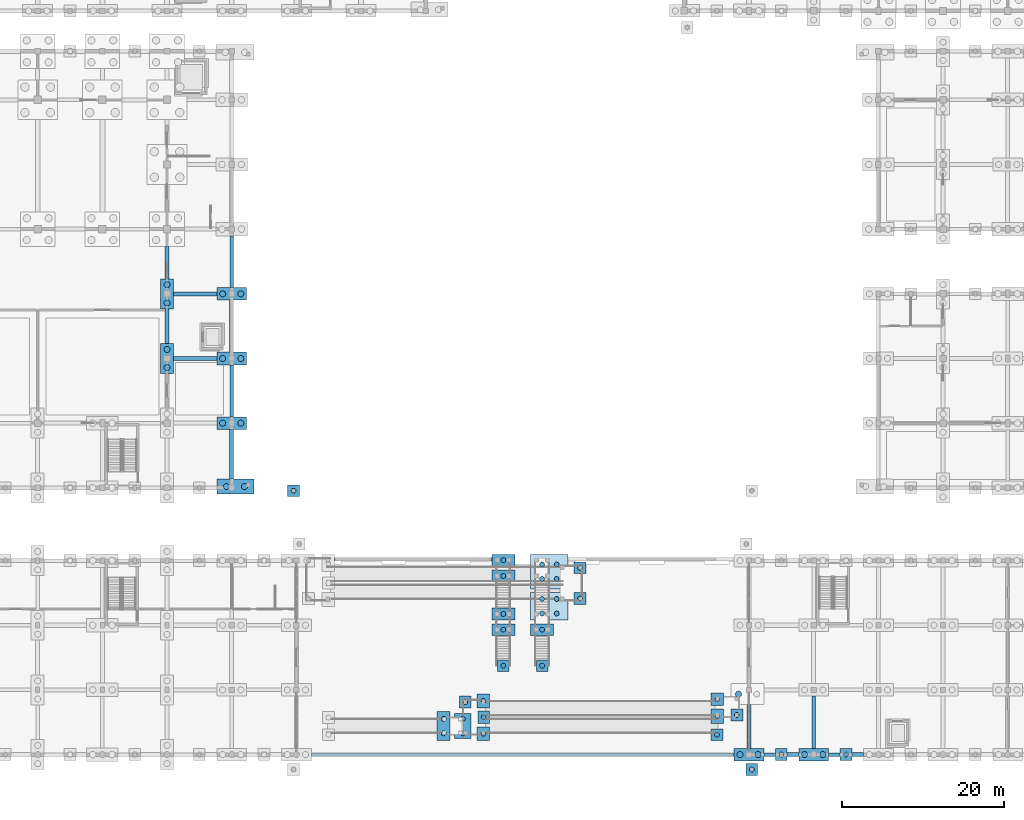
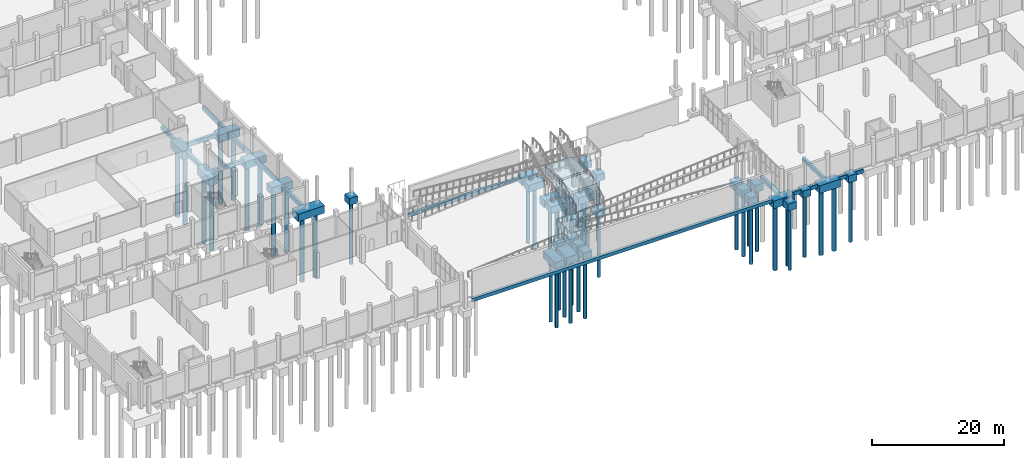
# One storey, part 4 of 52: 50 piles, 49 footings.
"""IFC4 building model written with IfcOpenShell, lengths in metres."""

from ifc_helpers import new_model, si_unit, direction, frame, origin, origin_2d, place, context, subcontext, project, spatial, polyline, rectangle, circle, outline, extrude, material, material_profile, profile_set, type_object, element, save


model = new_model("IFC4")

# Units and contexts
model_context = context("Model", 3, precision=1e-05, world=origin(), true_north=direction((0.0, 1.0)))
body_context = subcontext(model_context, "Body", "Model", "MODEL_VIEW")
ifc_project = project(units=[si_unit("LENGTHUNIT", "METRE"), si_unit("AREAUNIT", "SQUARE_METRE"), si_unit("VOLUMEUNIT", "CUBIC_METRE"), si_unit("PLANEANGLEUNIT", "RADIAN"), si_unit("MASSUNIT", "GRAM", prefix="KILO")], contexts=[model_context])

# Site, building, storey
site_placement = place(None, origin())
site = spatial("IfcSite", under=ifc_project, at=site_placement, CompositionType="ELEMENT")
building_placement = place(site_placement, origin())
building = spatial("IfcBuilding", under=site, at=building_placement, Name="Luwemba Playhouse", CompositionType="ELEMENT")
storey_placement = place(building_placement, frame((0.0, 0.0, -4.800048828125)))
storey = spatial("IfcBuildingStorey", under=building, at=storey_placement, Name="B1", CompositionType="ELEMENT", Elevation=-4.800048828125)

# Footings
ifc_material = material(Name="Concrete C32/40", Category="concrete")
ifc_material_profile_1 = material_profile(ifc_material, rectangle(XDim=0.449951171875, YDim=0.64990234375, at=origin_2d()))
ifc_profile_set_1 = profile_set([ifc_material_profile_1], Name="Concrete C32/40")
footing_type_1 = type_object("IfcFootingType", Name="FTBM-GB1", PredefinedType="FOOTING_BEAM", material=ifc_profile_set_1)
for number, where, z_axis, x_axis, name in (
    (1, (117.85009765625, 3.0, -0.704833984375), (1.0, 0.0, 0.0), (0.0, 1.0, 0.0), "Ground tie-beam 015"),
    (2, (125.85009765625, 3.0, -0.704833984375), (1.0, 0.0, 0.0), (0.0, 1.0, 0.0), "Ground tie-beam 017"),
):
    element("IfcFooting", number, at=place(storey_placement, frame(where, z_axis=z_axis, x_axis=x_axis)), inside=storey, type_object=footing_type_1, Name=name, PredefinedType="FOOTING_BEAM", context=body_context, shape_type="SweptSolid", body=[
        extrude(rectangle(XDim=0.449951171875, YDim=0.64990234375, at=origin_2d()), origin(), (0.0, 0.0, 1.0), 1.4248046875),
    ])
footing_1_placement = place(storey_placement, frame((44.800048828125, 52.0, -0.704833984375), z_axis=(1.0, 0.0, 0.0), x_axis=(0.0, 1.0, 0.0)))
element("IfcFooting", 3, at=footing_1_placement, inside=storey, type_object=footing_type_1, Name="Ground tie-beam 119", PredefinedType="FOOTING_BEAM", context=body_context, shape_type="SweptSolid", body=[
    extrude(rectangle(XDim=0.449951171875, YDim=0.64990234375, at=origin_2d()), origin(), (0.0, 0.0, 1.0), 5.349853515625),
])
footing_2_placement = place(storey_placement, frame((44.0, 61.85009765625, -0.704833984375), z_axis=(0.0, 1.0, 0.0), x_axis=(-1.0, 0.0, 0.0)))
element("IfcFooting", 4, at=footing_2_placement, inside=storey, type_object=footing_type_1, Name="Ground tie-beam 323", PredefinedType="FOOTING_BEAM", context=body_context, shape_type="SweptSolid", body=[
    extrude(rectangle(XDim=0.449951171875, YDim=0.64990234375, at=origin_2d()), origin(), (0.0, 0.0, 1.0), 4.0),
])
footing_3_placement = place(storey_placement, frame((52.0, 44.77490234375, -0.704833984375), z_axis=(0.0, 1.0, 0.0), x_axis=(-1.0, 0.0, 0.0)))
element("IfcFooting", 5, at=footing_3_placement, inside=storey, type_object=footing_type_1, Name="Ground tie-beam 333", PredefinedType="FOOTING_BEAM", context=body_context, shape_type="SweptSolid", body=[
    extrude(rectangle(XDim=0.449951171875, YDim=0.64990234375, at=origin_2d()), origin(), (0.0, 0.0, 1.0), 6.4501953125),
])
footing_4_placement = place(storey_placement, frame((52.0, 60.77490234375, -0.704833984375), z_axis=(0.0, 1.0, 0.0), x_axis=(-1.0, 0.0, 0.0)))
element("IfcFooting", 6, at=footing_4_placement, inside=storey, type_object=footing_type_1, Name="Ground tie-beam 335", PredefinedType="FOOTING_BEAM", context=body_context, shape_type="SweptSolid", body=[
    extrude(rectangle(XDim=0.449951171875, YDim=0.64990234375, at=origin_2d()), origin(), (0.0, 0.0, 1.0), 6.400146484375),
])
footing_5_placement = place(storey_placement, frame((124.0, 3.77490234375, -0.704833984375), z_axis=(0.0, 1.0, 0.0), x_axis=(-1.0, 0.0, 0.0)))
element("IfcFooting", 7, at=footing_5_placement, inside=storey, type_object=footing_type_1, Name="Ground tie-beam 357", PredefinedType="FOOTING_BEAM", context=body_context, shape_type="SweptSolid", body=[
    extrude(rectangle(XDim=0.449951171875, YDim=0.64990234375, at=origin_2d()), origin(), (0.0, 0.0, 1.0), 6.4501953125),
])
footing_6_placement = place(storey_placement, frame((61.85009765625, 3.0, -0.704833984375), z_axis=(1.0, 0.0, 0.0), x_axis=(0.0, 1.0, 0.0)))
element("IfcFooting", 8, at=footing_6_placement, inside=storey, type_object=footing_type_1, Name="B1 Sunken Metro Forecourt south retaining wall footing beam", PredefinedType="FOOTING_BEAM", context=body_context, shape_type="SweptSolid", body=[
    extrude(rectangle(XDim=0.449951171875, YDim=0.64990234375, at=origin_2d()), origin(), (0.0, 0.0, 1.0), 52.2998046875),
])
footing_7_placement = place(storey_placement, frame((64.695068359375, 27.14990234375, -0.704833984375), z_axis=(1.0, 0.0, 0.0), x_axis=(0.0, 1.0, 0.0)))
element("IfcFooting", 9, at=footing_7_placement, inside=storey, type_object=footing_type_1, Name="B1 Sunken Metro Forecourt north retaining wall footing beam 1", PredefinedType="FOOTING_BEAM", context=body_context, shape_type="SweptSolid", body=[
    extrude(rectangle(XDim=0.449951171875, YDim=0.64990234375, at=origin_2d()), origin(), (0.0, 0.0, 1.0), 19.47998046875),
])
ifc_material_profile_2 = material_profile(ifc_material, rectangle(XDim=0.5, YDim=0.699951171875, at=origin_2d()))
ifc_profile_set_2 = profile_set([ifc_material_profile_2], Name="Concrete C32/40")
footing_type_2 = type_object("IfcFootingType", Name="FTBM-GB2", PredefinedType="FOOTING_BEAM", material=ifc_profile_set_2)
for number, where, z_axis, x_axis, name in (
    (10, (120.72509765625, 3.0, -0.72998046875), (1.0, 0.0, 0.0), (0.0, 1.0, 0.0), "Ground tie-beam 016"),
    (11, (128.72509765625, 3.0, -0.72998046875), (1.0, 0.0, 0.0), (0.0, 1.0, 0.0), "Ground tie-beam 018"),
):
    element("IfcFooting", number, at=place(storey_placement, frame(where, z_axis=z_axis, x_axis=x_axis)), inside=storey, type_object=footing_type_2, Name=name, PredefinedType="FOOTING_BEAM", context=body_context, shape_type="SweptSolid", body=[
        extrude(rectangle(XDim=0.5, YDim=0.699951171875, at=origin_2d()), origin(), (0.0, 0.0, 1.0), 1.4248046875),
    ])
footing_8_placement = place(storey_placement, frame((44.800048828125, 60.0, -0.72998046875), z_axis=(1.0, 0.0, 0.0), x_axis=(0.0, 1.0, 0.0)))
element("IfcFooting", 12, at=footing_8_placement, inside=storey, type_object=footing_type_2, Name="Ground tie-beam 126", PredefinedType="FOOTING_BEAM", context=body_context, shape_type="SweptSolid", body=[
    extrude(rectangle(XDim=0.5, YDim=0.699951171875, at=origin_2d()), origin(), (0.0, 0.0, 1.0), 5.349853515625),
])
footing_9_placement = place(storey_placement, frame((44.0, 53.85009765625, -0.72998046875), z_axis=(0.0, 1.0, 0.0), x_axis=(-1.0, 0.0, 0.0)))
element("IfcFooting", 13, at=footing_9_placement, inside=storey, type_object=footing_type_2, Name="Ground tie-beam 322", PredefinedType="FOOTING_BEAM", context=body_context, shape_type="SweptSolid", body=[
    extrude(rectangle(XDim=0.5, YDim=0.699951171875, at=origin_2d()), origin(), (0.0, 0.0, 1.0), 4.2998046875),
])
footing_10_placement = place(storey_placement, frame((52.0, 37.074951171875, -0.72998046875), z_axis=(0.0, 1.0, 0.0), x_axis=(-1.0, 0.0, 0.0)))
element("IfcFooting", 14, at=footing_10_placement, inside=storey, type_object=footing_type_2, Name="Ground tie-beam 332", PredefinedType="FOOTING_BEAM", context=body_context, shape_type="SweptSolid", body=[
    extrude(rectangle(XDim=0.5, YDim=0.699951171875, at=origin_2d()), origin(), (0.0, 0.0, 1.0), 6.150146484375),
])
footing_11_placement = place(storey_placement, frame((52.0, 52.77490234375, -0.72998046875), z_axis=(0.0, 1.0, 0.0), x_axis=(-1.0, 0.0, 0.0)))
element("IfcFooting", 15, at=footing_11_placement, inside=storey, type_object=footing_type_2, Name="Ground tie-beam 334", PredefinedType="FOOTING_BEAM", context=body_context, shape_type="SweptSolid", body=[
    extrude(rectangle(XDim=0.5, YDim=0.699951171875, at=origin_2d()), origin(), (0.0, 0.0, 1.0), 6.4501953125),
])
footing_12_placement = place(storey_placement, frame((116.0, 3.77490234375, -0.72998046875), z_axis=(0.0, 1.0, 0.0), x_axis=(-1.0, 0.0, 0.0)))
element("IfcFooting", 16, at=footing_12_placement, inside=storey, type_object=footing_type_2, Name="Ground tie-beam 352", PredefinedType="FOOTING_BEAM", context=body_context, shape_type="SweptSolid", body=[
    extrude(rectangle(XDim=0.5, YDim=0.699951171875, at=origin_2d()), origin(), (0.0, 0.0, 1.0), 5.400146484375),
])
footing_type_3 = type_object("IfcFootingType", Name="FTG-PC02", PredefinedType="PILE_CAP", material=ifc_material)
footing_13_placement = place(storey_placement, frame((0.0, 0.0, -1.679931640625)))
element("IfcFooting", 17, at=footing_13_placement, inside=storey, type_object=footing_type_3, Name="Pile cap 003", PredefinedType="PILE_CAP", context=body_context, shape_type="SweptSolid", body=[
    extrude(outline(polyline([(115.625, 0.425048828125), (117.074951171875, 0.425048828125), (117.074951171875, 1.875), (115.625, 1.875), (115.625, 0.425048828125)])), origin(), (0.0, 0.0, 1.0), 1.300048828125),
])
footing_14_placement = place(storey_placement, frame((0.0, 0.0, -1.679931640625)))
element("IfcFooting", 18, at=footing_14_placement, inside=storey, type_object=footing_type_3, Name="Pile cap 027", PredefinedType="PILE_CAP", context=body_context, shape_type="SweptSolid", body=[
    extrude(outline(polyline([(119.27490234375, 2.27490234375), (120.72509765625, 2.27490234375), (120.72509765625, 3.72509765625), (119.27490234375, 3.72509765625), (119.27490234375, 2.27490234375)])), origin(), (0.0, 0.0, 1.0), 1.300048828125),
])
footing_15_placement = place(storey_placement, frame((0.0, 0.0, -1.679931640625)))
element("IfcFooting", 19, at=footing_15_placement, inside=storey, type_object=footing_type_3, Name="Pile cap 028", PredefinedType="PILE_CAP", context=body_context, shape_type="SweptSolid", body=[
    extrude(outline(polyline([(127.27490234375, 2.27490234375), (128.72509765625, 2.27490234375), (128.72509765625, 3.72509765625), (127.27490234375, 3.72509765625), (127.27490234375, 2.27490234375)])), origin(), (0.0, 0.0, 1.0), 1.300048828125),
])
footing_16_placement = place(storey_placement, frame((0.0, 0.0, -1.679931640625)))
element("IfcFooting", 20, at=footing_16_placement, inside=storey, type_object=footing_type_3, Name="Pile cap 037", PredefinedType="PILE_CAP", context=body_context, shape_type="SweptSolid", body=[
    extrude(outline(polyline([(111.304931640625, 4.72509765625), (112.7548828125, 4.72509765625), (112.7548828125, 6.175048828125), (111.304931640625, 6.175048828125), (111.304931640625, 4.72509765625)])), origin(), (0.0, 0.0, 1.0), 1.300048828125),
])
footing_17_placement = place(storey_placement, frame((0.0, 0.0, -1.679931640625)))
element("IfcFooting", 21, at=footing_17_placement, inside=storey, type_object=footing_type_3, Name="Pile cap 042", PredefinedType="PILE_CAP", context=body_context, shape_type="SweptSolid", body=[
    extrude(outline(polyline([(113.77490234375, 7.175048828125), (115.22509765625, 7.175048828125), (115.22509765625, 8.625), (113.77490234375, 8.625), (113.77490234375, 7.175048828125)])), origin(), (0.0, 0.0, 1.0), 1.300048828125),
])
footing_18_placement = place(storey_placement, frame((0.0, 0.0, -1.679931640625)))
element("IfcFooting", 22, at=footing_18_placement, inside=storey, type_object=footing_type_3, Name="Pile cap 043", PredefinedType="PILE_CAP", context=body_context, shape_type="SweptSolid", body=[
    extrude(outline(polyline([(80.175048828125, 8.77490234375), (81.625, 8.77490234375), (81.625, 10.22509765625), (80.175048828125, 10.22509765625), (80.175048828125, 8.77490234375)])), origin(), (0.0, 0.0, 1.0), 1.300048828125),
])
footing_19_placement = place(storey_placement, frame((0.0, 0.0, -1.679931640625)))
element("IfcFooting", 23, at=footing_19_placement, inside=storey, type_object=footing_type_3, Name="Pile cap 062", PredefinedType="PILE_CAP", context=body_context, shape_type="SweptSolid", body=[
    extrude(outline(polyline([(84.875, 13.27490234375), (86.324951171875, 13.27490234375), (86.324951171875, 14.72509765625), (84.875, 14.72509765625), (84.875, 13.27490234375)])), origin(), (0.0, 0.0, 1.0), 1.300048828125),
])
footing_20_placement = place(storey_placement, frame((0.0, 0.0, -1.679931640625)))
element("IfcFooting", 24, at=footing_20_placement, inside=storey, type_object=footing_type_3, Name="Pile cap 063", PredefinedType="PILE_CAP", context=body_context, shape_type="SweptSolid", body=[
    extrude(outline(polyline([(89.675048828125, 13.27490234375), (91.125, 13.27490234375), (91.125, 14.72509765625), (89.675048828125, 14.72509765625), (89.675048828125, 13.27490234375)])), origin(), (0.0, 0.0, 1.0), 1.300048828125),
])
footing_21_placement = place(storey_placement, frame((0.0, 0.0, -1.679931640625)))
element("IfcFooting", 25, at=footing_21_placement, inside=storey, type_object=footing_type_3, Name="Pile cap 086", PredefinedType="PILE_CAP", context=body_context, shape_type="SweptSolid", body=[
    extrude(outline(polyline([(94.375, 21.574951171875), (95.824951171875, 21.574951171875), (95.824951171875, 23.02490234375), (94.375, 23.02490234375), (94.375, 21.574951171875)])), origin(), (0.0, 0.0, 1.0), 1.300048828125),
])
footing_22_placement = place(storey_placement, frame((0.0, 0.0, -1.679931640625)))
element("IfcFooting", 26, at=footing_22_placement, inside=storey, type_object=footing_type_3, Name="Pile cap 093", PredefinedType="PILE_CAP", context=body_context, shape_type="SweptSolid", body=[
    extrude(outline(polyline([(94.375, 25.375), (95.824951171875, 25.375), (95.824951171875, 26.824951171875), (94.375, 26.824951171875), (94.375, 25.375)])), origin(), (0.0, 0.0, 1.0), 1.300048828125),
])
footing_23_placement = place(storey_placement, frame((0.0, 0.0, -1.679931640625)))
element("IfcFooting", 27, at=footing_23_placement, inside=storey, type_object=footing_type_3, Name="Pile cap 131", PredefinedType="PILE_CAP", context=body_context, shape_type="SweptSolid", body=[
    extrude(outline(polyline([(58.925048828125, 34.925048828125), (60.375, 34.925048828125), (60.375, 36.375), (58.925048828125, 36.375), (58.925048828125, 34.925048828125)])), origin(), (0.0, 0.0, 1.0), 1.300048828125),
])
footing_type_4 = type_object("IfcFootingType", Name="FTG-PC03", PredefinedType="PILE_CAP", material=ifc_material)
footing_24_placement = place(storey_placement, frame((0.0, 0.0, -1.8798828125)))
element("IfcFooting", 28, at=footing_24_placement, inside=storey, type_object=footing_type_4, Name="Pile cap 166", PredefinedType="PILE_CAP", context=body_context, shape_type="SweptSolid", body=[
    extrude(outline(polyline([(43.199951171875, 50.14990234375), (44.800048828125, 50.14990234375), (44.800048828125, 53.85009765625), (43.199951171875, 53.85009765625), (43.199951171875, 50.14990234375)])), origin(), (0.0, 0.0, 1.0), 1.5),
])
footing_25_placement = place(storey_placement, frame((0.0, 0.0, -1.8798828125)))
element("IfcFooting", 29, at=footing_25_placement, inside=storey, type_object=footing_type_4, Name="Pile cap 176", PredefinedType="PILE_CAP", context=body_context, shape_type="SweptSolid", body=[
    extrude(outline(polyline([(43.199951171875, 58.14990234375), (44.800048828125, 58.14990234375), (44.800048828125, 61.85009765625), (43.199951171875, 61.85009765625), (43.199951171875, 58.14990234375)])), origin(), (0.0, 0.0, 1.0), 1.5),
])
footing_type_5 = type_object("IfcFootingType", Name="FTG-PC05", PredefinedType="PILE_CAP", material=ifc_material)
footing_26_placement = place(storey_placement, frame((0.0, 0.0, -1.780029296875)))
element("IfcFooting", 30, at=footing_26_placement, inside=storey, type_object=footing_type_5, Name="Pile cap 012", PredefinedType="PILE_CAP", context=body_context, shape_type="SweptSolid", body=[
    extrude(outline(polyline([(114.14990234375, 2.22509765625), (117.85009765625, 2.22509765625), (117.85009765625, 3.77490234375), (114.14990234375, 3.77490234375), (114.14990234375, 2.22509765625)])), origin(), (0.0, 0.0, 1.0), 1.400146484375),
])
footing_27_placement = place(storey_placement, frame((0.0, 0.0, -1.780029296875)))
element("IfcFooting", 31, at=footing_27_placement, inside=storey, type_object=footing_type_5, Name="Pile cap 013", PredefinedType="PILE_CAP", context=body_context, shape_type="SweptSolid", body=[
    extrude(outline(polyline([(122.14990234375, 2.22509765625), (125.85009765625, 2.22509765625), (125.85009765625, 3.77490234375), (122.14990234375, 3.77490234375), (122.14990234375, 2.22509765625)])), origin(), (0.0, 0.0, 1.0), 1.400146484375),
])
footing_28_placement = place(storey_placement, frame((0.0, 0.0, -1.780029296875)))
element("IfcFooting", 32, at=footing_28_placement, inside=storey, type_object=footing_type_5, Name="Pile cap 163", PredefinedType="PILE_CAP", context=body_context, shape_type="SweptSolid", body=[
    extrude(outline(polyline([(50.14990234375, 43.22509765625), (53.85009765625, 43.22509765625), (53.85009765625, 44.77490234375), (50.14990234375, 44.77490234375), (50.14990234375, 43.22509765625)])), origin(), (0.0, 0.0, 1.0), 1.400146484375),
])
footing_29_placement = place(storey_placement, frame((0.0, 0.0, -1.780029296875)))
element("IfcFooting", 33, at=footing_29_placement, inside=storey, type_object=footing_type_5, Name="Pile cap 171", PredefinedType="PILE_CAP", context=body_context, shape_type="SweptSolid", body=[
    extrude(outline(polyline([(50.14990234375, 51.22509765625), (53.85009765625, 51.22509765625), (53.85009765625, 52.77490234375), (50.14990234375, 52.77490234375), (50.14990234375, 51.22509765625)])), origin(), (0.0, 0.0, 1.0), 1.400146484375),
])
footing_30_placement = place(storey_placement, frame((0.0, 0.0, -1.780029296875)))
element("IfcFooting", 34, at=footing_30_placement, inside=storey, type_object=footing_type_5, Name="Pile cap 184", PredefinedType="PILE_CAP", context=body_context, shape_type="SweptSolid", body=[
    extrude(outline(polyline([(50.14990234375, 59.22509765625), (53.85009765625, 59.22509765625), (53.85009765625, 60.77490234375), (50.14990234375, 60.77490234375), (50.14990234375, 59.22509765625)])), origin(), (0.0, 0.0, 1.0), 1.400146484375),
])
footing_type_6 = type_object("IfcFootingType", Name="FTG-PC07", PredefinedType="PILE_CAP", material=ifc_material)
footing_31_placement = place(storey_placement, frame((0.0, 0.0, -1.679931640625)))
element("IfcFooting", 35, at=footing_31_placement, inside=storey, type_object=footing_type_6, Name="Pile cap 035", PredefinedType="PILE_CAP", context=body_context, shape_type="SweptSolid", body=[
    extrude(outline(polyline([(77.405029296875, 4.72509765625), (79.02490234375, 4.72509765625), (79.02490234375, 8.324951171875), (77.405029296875, 8.324951171875), (77.405029296875, 4.72509765625)])), origin(), (0.0, 0.0, 1.0), 1.300048828125),
])
footing_type_7 = type_object("IfcFootingType", Name="FTG-PC08", PredefinedType="PILE_CAP", material=ifc_material)
footing_32_placement = place(storey_placement, frame((0.0, 0.0, -1.679931640625)))
element("IfcFooting", 36, at=footing_32_placement, inside=storey, type_object=footing_type_7, Name="Pile cap 036", PredefinedType="PILE_CAP", context=body_context, shape_type="SweptSolid", body=[
    extrude(outline(polyline([(82.375, 4.72509765625), (83.89501953125, 4.72509765625), (83.89501953125, 6.425048828125), (82.375, 6.425048828125), (82.375, 4.72509765625)])), origin(), (0.0, 0.0, 1.0), 1.300048828125),
])
footing_type_8 = type_object("IfcFootingType", Name="FTG-PC09", PredefinedType="PILE_CAP", material=ifc_material)
footing_33_placement = place(storey_placement, frame((0.0, 0.0, -1.679931640625)))
element("IfcFooting", 37, at=footing_33_placement, inside=storey, type_object=footing_type_8, Name="Pile cap 038", PredefinedType="PILE_CAP", context=body_context, shape_type="SweptSolid", body=[
    extrude(outline(polyline([(79.574951171875, 4.97509765625), (81.625, 4.97509765625), (81.625, 8.074951171875), (79.574951171875, 8.074951171875), (79.574951171875, 4.97509765625)])), origin(), (0.0, 0.0, 1.0), 1.300048828125),
])
footing_type_9 = type_object("IfcFootingType", Name="FTG-PC10", PredefinedType="PILE_CAP", material=ifc_material)
footing_34_placement = place(storey_placement, frame((0.0, 0.0, -1.679931640625)))
element("IfcFooting", 38, at=footing_34_placement, inside=storey, type_object=footing_type_9, Name="Pile cap 040", PredefinedType="PILE_CAP", context=body_context, shape_type="SweptSolid", body=[
    extrude(outline(polyline([(82.445068359375, 6.875), (83.89501953125, 6.875), (83.89501953125, 8.375), (82.445068359375, 8.375), (82.445068359375, 6.875)])), origin(), (0.0, 0.0, 1.0), 1.300048828125),
])
footing_type_10 = type_object("IfcFootingType", Name="FTG-PC11", PredefinedType="PILE_CAP", material=ifc_material)
footing_35_placement = place(storey_placement, frame((0.0, 0.0, -1.679931640625)))
element("IfcFooting", 39, at=footing_35_placement, inside=storey, type_object=footing_type_10, Name="Pile cap 041", PredefinedType="PILE_CAP", context=body_context, shape_type="SweptSolid", body=[
    extrude(outline(polyline([(111.304931640625, 6.875), (112.824951171875, 6.875), (112.824951171875, 8.625), (111.304931640625, 8.625), (111.304931640625, 6.875)])), origin(), (0.0, 0.0, 1.0), 1.300048828125),
])
footing_36_placement = place(storey_placement, frame((0.0, 0.0, -1.679931640625)))
element("IfcFooting", 40, at=footing_36_placement, inside=storey, type_object=footing_type_10, Name="Pile cap 044", PredefinedType="PILE_CAP", context=body_context, shape_type="SweptSolid", body=[
    extrude(outline(polyline([(82.375, 8.77490234375), (83.89501953125, 8.77490234375), (83.89501953125, 10.52490234375), (82.375, 10.52490234375), (82.375, 8.77490234375)])), origin(), (0.0, 0.0, 1.0), 1.300048828125),
])
footing_type_11 = type_object("IfcFootingType", Name="FTG-PC12", PredefinedType="PILE_CAP", material=ifc_material)
footing_37_placement = place(storey_placement, frame((0.0, 0.0, -1.679931640625)))
element("IfcFooting", 41, at=footing_37_placement, inside=storey, type_object=footing_type_11, Name="Pile cap 045", PredefinedType="PILE_CAP", context=body_context, shape_type="SweptSolid", body=[
    extrude(outline(polyline([(111.304931640625, 9.074951171875), (112.824951171875, 9.074951171875), (112.824951171875, 10.625), (111.304931640625, 10.625), (111.304931640625, 9.074951171875)])), origin(), (0.0, 0.0, 1.0), 1.300048828125),
])
footing_type_12 = type_object("IfcFootingType", Name="FTG-PC14", PredefinedType="PILE_CAP", material=ifc_material)
footing_38_placement = place(storey_placement, frame((0.0, 0.0, -1.679931640625)))
element("IfcFooting", 42, at=footing_38_placement, inside=storey, type_object=footing_type_12, Name="Pile cap 067", PredefinedType="PILE_CAP", context=body_context, shape_type="SweptSolid", body=[
    extrude(outline(polyline([(84.175048828125, 17.72509765625), (87.02490234375, 17.72509765625), (87.02490234375, 19.175048828125), (84.175048828125, 19.175048828125), (84.175048828125, 17.72509765625)])), origin(), (0.0, 0.0, 1.0), 1.300048828125),
])
footing_39_placement = place(storey_placement, frame((0.0, 0.0, -1.679931640625)))
element("IfcFooting", 43, at=footing_39_placement, inside=storey, type_object=footing_type_12, Name="Pile cap 068", PredefinedType="PILE_CAP", context=body_context, shape_type="SweptSolid", body=[
    extrude(outline(polyline([(88.97509765625, 17.72509765625), (91.824951171875, 17.72509765625), (91.824951171875, 19.175048828125), (88.97509765625, 19.175048828125), (88.97509765625, 17.72509765625)])), origin(), (0.0, 0.0, 1.0), 1.300048828125),
])
footing_40_placement = place(storey_placement, frame((0.0, 0.0, -1.679931640625)))
element("IfcFooting", 44, at=footing_40_placement, inside=storey, type_object=footing_type_12, Name="Pile cap 082", PredefinedType="PILE_CAP", context=body_context, shape_type="SweptSolid", body=[
    extrude(outline(polyline([(84.175048828125, 19.675048828125), (87.02490234375, 19.675048828125), (87.02490234375, 21.125), (84.175048828125, 21.125), (84.175048828125, 19.675048828125)])), origin(), (0.0, 0.0, 1.0), 1.300048828125),
])
footing_41_placement = place(storey_placement, frame((0.0, 0.0, -1.679931640625)))
element("IfcFooting", 45, at=footing_41_placement, inside=storey, type_object=footing_type_12, Name="Pile cap 089", PredefinedType="PILE_CAP", context=body_context, shape_type="SweptSolid", body=[
    extrude(outline(polyline([(84.175048828125, 24.375), (87.02490234375, 24.375), (87.02490234375, 25.824951171875), (84.175048828125, 25.824951171875), (84.175048828125, 24.375)])), origin(), (0.0, 0.0, 1.0), 1.300048828125),
])
footing_42_placement = place(storey_placement, frame((0.0, 0.0, -1.679931640625)))
element("IfcFooting", 46, at=footing_42_placement, inside=storey, type_object=footing_type_12, Name="Pile cap 122", PredefinedType="PILE_CAP", context=body_context, shape_type="SweptSolid", body=[
    extrude(outline(polyline([(84.175048828125, 26.324951171875), (87.02490234375, 26.324951171875), (87.02490234375, 27.77490234375), (84.175048828125, 27.77490234375), (84.175048828125, 26.324951171875)])), origin(), (0.0, 0.0, 1.0), 1.300048828125),
])
footing_type_13 = type_object("IfcFootingType", Name="FTG-PC15", PredefinedType="PILE_CAP", material=ifc_material)
footing_43_placement = place(storey_placement, frame((0.0, 0.0, -1.679931640625)))
element("IfcFooting", 47, at=footing_43_placement, inside=storey, type_object=footing_type_13, Name="Pile cap 083", PredefinedType="PILE_CAP", context=body_context, shape_type="SweptSolid", body=[
    extrude(outline(polyline([(88.97509765625, 19.675048828125), (93.625, 19.675048828125), (93.625, 23.02490234375), (88.97509765625, 23.02490234375), (88.97509765625, 19.675048828125)])), origin(), (0.0, 0.0, 1.0), 1.300048828125),
])
footing_type_14 = type_object("IfcFootingType", Name="FTG-PC16", PredefinedType="PILE_CAP", material=ifc_material)
footing_44_placement = place(storey_placement, frame((0.0, 0.0, -1.679931640625)))
element("IfcFooting", 48, at=footing_44_placement, inside=storey, type_object=footing_type_14, Name="Pile cap 088", PredefinedType="PILE_CAP", context=body_context, shape_type="SweptSolid", body=[
    extrude(outline(polyline([(88.97509765625, 23.47509765625), (93.625, 23.47509765625), (93.625, 27.77490234375), (88.97509765625, 27.77490234375), (88.97509765625, 23.47509765625)])), origin(), (0.0, 0.0, 1.0), 1.300048828125),
])
footing_type_15 = type_object("IfcFootingType", Name="FTG-PC20", PredefinedType="PILE_CAP", material=ifc_material)
footing_45_placement = place(storey_placement, frame((0.0, 0.0, -1.780029296875)))
element("IfcFooting", 49, at=footing_45_placement, inside=storey, type_object=footing_type_15, Name="Pile cap 138", PredefinedType="PILE_CAP", context=body_context, shape_type="SweptSolid", body=[
    extrude(outline(polyline([(50.14990234375, 35.22509765625), (54.77490234375, 35.22509765625), (54.77490234375, 37.074951171875), (50.14990234375, 37.074951171875), (50.14990234375, 35.22509765625)])), origin(), (0.0, 0.0, 1.0), 1.400146484375),
])

# Piles
ifc_material_profile_3 = material_profile(ifc_material, circle(Radius=0.300048828125, at=origin_2d()))
ifc_profile_set_3 = profile_set([ifc_material_profile_3], Name="Concrete C32/40")
pile_type_1 = type_object("IfcPileType", Name="PILE-BP1", PredefinedType="BORED", material=ifc_profile_set_3)
for number, where, z_axis, x_axis, name in (
    (50, (116.35009765625, 1.14990234375, -1.579833984375), (0.0, 0.0, -1.0), (1.0, 0.0, 0.0), "Bored pile 004"),
    (51, (120.0, 3.0, -1.579833984375), (0.0, 0.0, -1.0), (1.0, 0.0, 0.0), "Bored pile 043"),
    (52, (128.0, 3.0, -1.579833984375), (0.0, 0.0, -1.0), (1.0, 0.0, 0.0), "Bored pile 044"),
    (53, (78.215087890625, 5.625, -1.579833984375), (0.0, 0.0, -1.0), (1.0, 0.0, 0.0), "Bored pile 051"),
    (54, (78.215087890625, 7.425048828125, -1.579833984375), (0.0, 0.0, -1.0), (1.0, 0.0, 0.0), "Bored pile 052"),
    (55, (83.135009765625, 5.574951171875, -1.579833984375), (0.0, 0.0, -1.0), (1.0, 0.0, 0.0), "Bored pile 053"),
    (56, (112.030029296875, 5.449951171875, -1.579833984375), (0.0, 0.0, -1.0), (1.0, 0.0, 0.0), "Bored pile 054"),
    (57, (80.60009765625, 5.625, -1.579833984375), (0.0, 0.0, -1.0), (1.0, 0.0, 0.0), "Bored pile 055"),
    (58, (80.60009765625, 7.425048828125, -1.579833984375), (0.0, 0.0, -1.0), (1.0, 0.0, 0.0), "Bored pile 056"),
    (59, (83.169921875, 7.625, -1.579833984375), (0.0, 0.0, -1.0), (1.0, 0.0, 0.0), "Bored pile 058"),
    (60, (112.06494140625, 7.75, -1.579833984375), (0.0, 0.0, -1.0), (1.0, 0.0, 0.0), "Bored pile 059"),
    (61, (114.5, 7.89990234375, -1.579833984375), (0.0, 0.0, -1.0), (1.0, 0.0, 0.0), "Bored pile 060"),
    (62, (80.89990234375, 9.5, -1.579833984375), (0.0, 0.0, -1.0), (1.0, 0.0, 0.0), "Bored pile 061"),
    (63, (83.135009765625, 9.64990234375, -1.579833984375), (0.0, 0.0, -1.0), (1.0, 0.0, 0.0), "Bored pile 062"),
    (64, (112.06494140625, 9.85009765625, -1.579833984375), (0.0, 0.0, -1.0), (1.0, 0.0, 0.0), "Bored pile 063"),
    (65, (85.60009765625, 14.0, -1.579833984375), (0.0, 0.0, -1.0), (1.0, 0.0, 0.0), "Bored pile 096"),
    (66, (90.39990234375, 14.0, -1.579833984375), (0.0, 0.0, -1.0), (1.0, 0.0, 0.0), "Bored pile 097"),
    (67, (85.60009765625, 18.449951171875, -1.579833984375), (0.0, 0.0, -1.0), (1.0, 0.0, 0.0), "Bored pile 104"),
    (68, (90.39990234375, 18.449951171875, -1.579833984375), (0.0, 0.0, -1.0), (1.0, 0.0, 0.0), "Bored pile 105"),
    (69, (85.60009765625, 20.39990234375, -1.579833984375), (0.0, 0.0, -1.0), (1.0, 0.0, 0.0), "Bored pile 132"),
    (70, (90.39990234375, 20.449951171875, -1.579833984375), (0.0, 0.0, -1.0), (1.0, 0.0, 0.0), "Bored pile 133"),
    (71, (90.39990234375, 22.25, -1.579833984375), (0.0, 0.0, -1.0), (1.0, 0.0, 0.0), "Bored pile 134"),
    (72, (92.199951171875, 20.449951171875, -1.579833984375), (0.0, 0.0, -1.0), (1.0, 0.0, 0.0), "Bored pile 135"),
    (73, (92.199951171875, 22.25, -1.579833984375), (0.0, 0.0, -1.0), (1.0, 0.0, 0.0), "Bored pile 136"),
    (74, (95.10009765625, 22.300048828125, -1.579833984375), (0.0, 0.0, -1.0), (1.0, 0.0, 0.0), "Bored pile 139"),
    (75, (90.39990234375, 24.72509765625, -1.579833984375), (0.0, 0.0, -1.0), (1.0, 0.0, 0.0), "Bored pile 141"),
    (76, (90.39990234375, 26.52490234375, -1.579833984375), (0.0, 0.0, -1.0), (1.0, 0.0, 0.0), "Bored pile 142"),
    (77, (92.199951171875, 24.72509765625, -1.579833984375), (0.0, 0.0, -1.0), (1.0, 0.0, 0.0), "Bored pile 143"),
    (78, (92.199951171875, 26.52490234375, -1.579833984375), (0.0, 0.0, -1.0), (1.0, 0.0, 0.0), "Bored pile 144"),
    (79, (85.60009765625, 25.10009765625, -1.579833984375), (0.0, 0.0, -1.0), (1.0, 0.0, 0.0), "Bored pile 145"),
    (80, (95.10009765625, 26.10009765625, -1.579833984375), (0.0, 0.0, -1.0), (1.0, 0.0, 0.0), "Bored pile 152"),
    (81, (85.60009765625, 27.050048828125, -1.579833984375), (0.0, 0.0, -1.0), (1.0, 0.0, 0.0), "Bored pile 194"),
    (82, (59.64990234375, 35.64990234375, -1.579833984375), (0.0, 0.0, -1.0), (1.0, 0.0, 0.0), "Bored pile 209"),
):
    element("IfcPile", number, at=place(storey_placement, frame(where, z_axis=z_axis, x_axis=x_axis)), inside=storey, type_object=pile_type_1, Name=name, PredefinedType="BORED", context=body_context, shape_type="SweptSolid", body=[
        extrude(circle(Radius=0.300048828125, at=origin_2d()), origin(), (0.0, 0.0, 1.0), 11.5),
    ])
ifc_material_profile_4 = material_profile(ifc_material, circle(Radius=0.375, at=origin_2d()))
ifc_profile_set_4 = profile_set([ifc_material_profile_4], Name="Concrete C32/40")
pile_type_2 = type_object("IfcPileType", Name="PILE-BP2", PredefinedType="BORED", material=ifc_profile_set_4)
for number, where, z_axis, x_axis, name in (
    (83, (114.875, 3.0, -1.679931640625), (0.0, 0.0, -1.0), (1.0, 0.0, 0.0), "Bored pile 020"),
    (84, (117.125, 3.0, -1.679931640625), (0.0, 0.0, -1.0), (1.0, 0.0, 0.0), "Bored pile 021"),
    (85, (122.875, 3.0, -1.679931640625), (0.0, 0.0, -1.0), (1.0, 0.0, 0.0), "Bored pile 022"),
    (86, (125.125, 3.0, -1.679931640625), (0.0, 0.0, -1.0), (1.0, 0.0, 0.0), "Bored pile 023"),
    (87, (114.6875, 10.47509765625, -1.679931640625), (0.0, 0.0, -1.0), (1.0, 0.0, 0.0), "Bored pile 070"),
    (88, (51.33740234375, 36.14990234375, -1.679931640625), (0.0, 0.0, -1.0), (1.0, 0.0, 0.0), "Bored pile 221"),
    (89, (53.58740234375, 36.14990234375, -1.679931640625), (0.0, 0.0, -1.0), (1.0, 0.0, 0.0), "Bored pile 222"),
    (90, (50.875, 44.0, -1.679931640625), (0.0, 0.0, -1.0), (1.0, 0.0, 0.0), "Bored pile 259"),
    (91, (53.125, 44.0, -1.679931640625), (0.0, 0.0, -1.0), (1.0, 0.0, 0.0), "Bored pile 260"),
):
    element("IfcPile", number, at=place(storey_placement, frame(where, z_axis=z_axis, x_axis=x_axis)), inside=storey, type_object=pile_type_2, Name=name, PredefinedType="BORED", context=body_context, shape_type="SweptSolid", body=[
        extrude(circle(Radius=0.375, at=origin_2d()), origin(), (0.0, 0.0, 1.0), 12.0),
    ])
for number, where, z_axis, x_axis, name in (
    (92, (44.0, 50.875, -1.780029296875), (0.0, 0.0, -1.0), (1.0, 0.0, 0.0), "Bored pile 265"),
    (93, (44.0, 53.125, -1.780029296875), (0.0, 0.0, -1.0), (1.0, 0.0, 0.0), "Bored pile 266"),
):
    element("IfcPile", number, at=place(storey_placement, frame(where, z_axis=z_axis, x_axis=x_axis)), inside=storey, type_object=pile_type_2, Name=name, PredefinedType="BORED", context=body_context, shape_type="SweptSolid", body=[
        extrude(circle(Radius=0.375, at=origin_2d()), origin(), (0.0, 0.0, 1.0), 12.5),
    ])
for number, where, z_axis, x_axis, name in (
    (94, (50.875, 52.0, -1.679931640625), (0.0, 0.0, -1.0), (1.0, 0.0, 0.0), "Bored pile 275"),
    (95, (53.125, 52.0, -1.679931640625), (0.0, 0.0, -1.0), (1.0, 0.0, 0.0), "Bored pile 276"),
):
    element("IfcPile", number, at=place(storey_placement, frame(where, z_axis=z_axis, x_axis=x_axis)), inside=storey, type_object=pile_type_2, Name=name, PredefinedType="BORED", context=body_context, shape_type="SweptSolid", body=[
        extrude(circle(Radius=0.375, at=origin_2d()), origin(), (0.0, 0.0, 1.0), 12.0),
    ])
for number, where, z_axis, x_axis, name in (
    (96, (44.0, 58.875, -1.780029296875), (0.0, 0.0, -1.0), (1.0, 0.0, 0.0), "Bored pile 285"),
    (97, (44.0, 61.125, -1.780029296875), (0.0, 0.0, -1.0), (1.0, 0.0, 0.0), "Bored pile 286"),
):
    element("IfcPile", number, at=place(storey_placement, frame(where, z_axis=z_axis, x_axis=x_axis)), inside=storey, type_object=pile_type_2, Name=name, PredefinedType="BORED", context=body_context, shape_type="SweptSolid", body=[
        extrude(circle(Radius=0.375, at=origin_2d()), origin(), (0.0, 0.0, 1.0), 12.5),
    ])
for number, where, z_axis, x_axis, name in (
    (98, (50.875, 60.0, -1.679931640625), (0.0, 0.0, -1.0), (1.0, 0.0, 0.0), "Bored pile 300"),
    (99, (53.125, 60.0, -1.679931640625), (0.0, 0.0, -1.0), (1.0, 0.0, 0.0), "Bored pile 301"),
):
    element("IfcPile", number, at=place(storey_placement, frame(where, z_axis=z_axis, x_axis=x_axis)), inside=storey, type_object=pile_type_2, Name=name, PredefinedType="BORED", context=body_context, shape_type="SweptSolid", body=[
        extrude(circle(Radius=0.375, at=origin_2d()), origin(), (0.0, 0.0, 1.0), 12.0),
    ])

save(model, "model.ifc")
